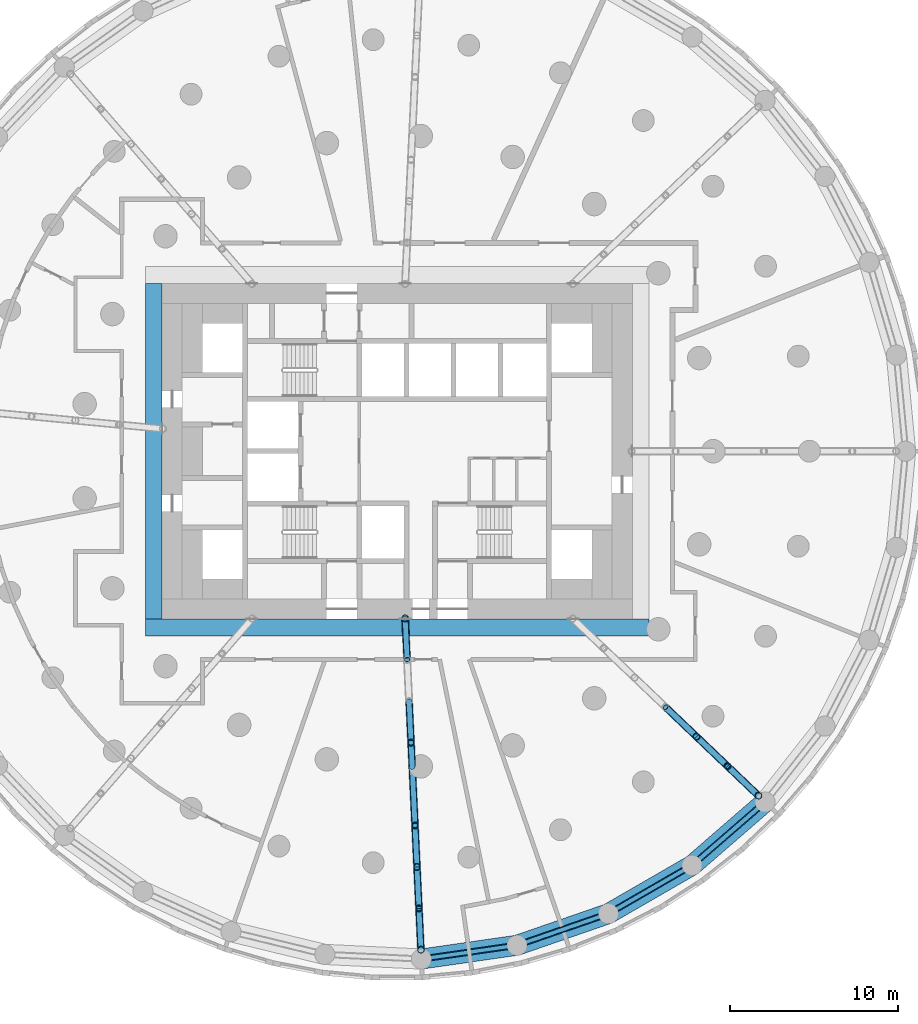
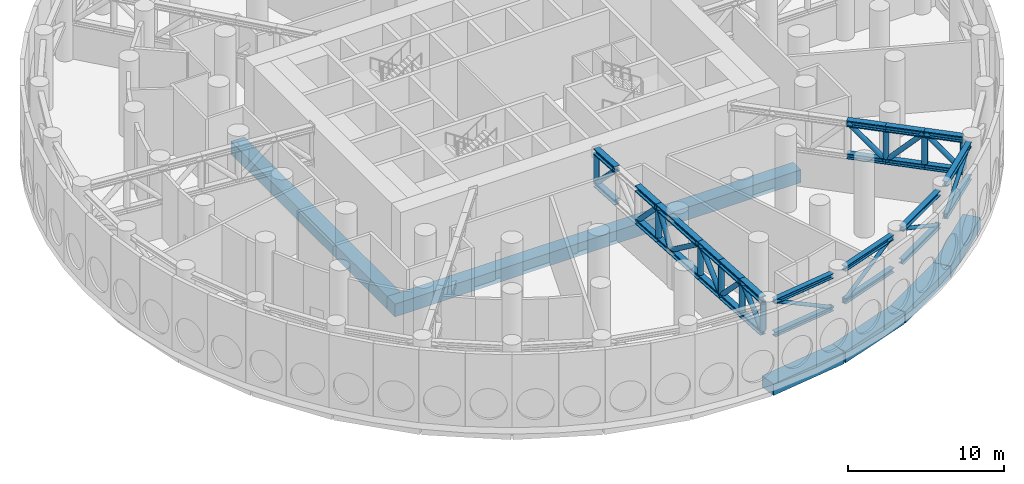
# One storey, part 3 of 17: 51 members, 6 beams.
"""IFC4 building model written with IfcOpenShell, lengths in metres."""

from ifc_helpers import new_model, si_unit, direction, frame, origin, origin_2d, place, context, subcontext, project, spatial, rectangle, hollow_circle, i_section, extrude, material, material_profile, profile_set, type_object, element, save


model = new_model("IFC4")

# Units and contexts
model_context = context("Model", 3, precision=1e-05, world=origin(), true_north=direction((0.0, 1.0)))
body_context = subcontext(model_context, "Body", "Model", "MODEL_VIEW")
ifc_project = project(units=[si_unit("LENGTHUNIT", "METRE"), si_unit("AREAUNIT", "SQUARE_METRE"), si_unit("VOLUMEUNIT", "CUBIC_METRE"), si_unit("PLANEANGLEUNIT", "RADIAN"), si_unit("MASSUNIT", "GRAM", prefix="KILO")], contexts=[model_context])

# Site, building, storey
site_placement = place(None, origin())
site = spatial("IfcSite", under=ifc_project, at=site_placement, CompositionType="ELEMENT")
building_placement = place(site_placement, origin())
building = spatial("IfcBuilding", under=site, at=building_placement, Name="Tracery Tower", CompositionType="ELEMENT")
storey_placement = place(building_placement, frame((0.0, 0.0, 120.0)))
storey = spatial("IfcBuildingStorey", under=building, at=storey_placement, Name="L30 Plant", CompositionType="ELEMENT", Elevation=120.0)

# Members
ifc_material_1 = material(Name="Steel S355", Category="steel")
ifc_material_profile_1 = material_profile(ifc_material_1, i_section(OverallWidth=0.37060546875, OverallDepth=0.362060546875, WebThickness=0.01220703125, FlangeThickness=0.020751953125, FilletRadius=0.01513671875, at=origin_2d()), Name="UKC 356x368x153")
ifc_profile_set_1 = profile_set([ifc_material_profile_1], Name="Steel S355")
member_type_1 = type_object("IfcMemberType", Name="Belt truss bottom chord UKC 356x368x153", PredefinedType="CHORD", material=ifc_profile_set_1)
for number, where, z_axis, x_axis, name in (
    (1, (1.935302734375, -30.169189453125, 2.9033203125), (0.989822810681, 0.142305317733, 0.0), (-0.142305317733, 0.989822810681, 0.0), "Belt truss bottom chord 26"),
    (2, (7.610107421875, -29.2578125, 2.9033203125), (0.944980580061, 0.327126433213, 0.0), (-0.327126433213, 0.944980580061, 0.0), "Belt truss bottom chord 27"),
    (3, (13.009521484375, -27.288818359375, 2.9033203125), (0.866010324758, 0.500026116731, 0.0), (-0.500026116731, 0.866010324758, 0.0), "Belt truss bottom chord 28"),
    (4, (17.93896484375, -24.33349609375, 2.9033203125), (0.755744978392, 0.65486603793, 0.0), (-0.65486603793, 0.755744978392, 0.0), "Belt truss bottom chord 29"),
):
    element("IfcMember", number, at=place(storey_placement, frame(where, z_axis=z_axis, x_axis=x_axis)), inside=storey, type_object=member_type_1, Name=name, PredefinedType="CHORD", context=body_context, shape_type="SweptSolid", body=[
        extrude(i_section(OverallWidth=0.37060546875, OverallDepth=0.362060546875, WebThickness=0.01220703125, FlangeThickness=0.020751953125, FilletRadius=0.01513671875, at=origin_2d()), origin(), (0.0, 0.0, 1.0), 4.755615234375),
    ])
ifc_material_2 = material(Name="Steel S355", Category="steel")
ifc_material_profile_2 = material_profile(ifc_material_2, hollow_circle(Radius=0.136474609375, WallThickness=0.012451171875, at=origin_2d()), Name="CHS 273x12.5")
ifc_profile_set_2 = profile_set([ifc_material_profile_2], Name="Steel S355")
member_type_2 = type_object("IfcMemberType", Name="Belt truss diagonal CHS 273x12.5", PredefinedType="BRACE", material=ifc_profile_set_2)
member_1_placement = place(storey_placement, frame((1.935302734375, -30.169189453125, 5.462646484375), z_axis=(0.871619132193, 0.125311354932, -0.473895719246), x_axis=(-0.142305317733, 0.989822810681, 0.0)))
element("IfcMember", 5, at=member_1_placement, inside=storey, type_object=member_type_2, Name="Belt truss diagonal 26", PredefinedType="BRACE", context=body_context, shape_type="SweptSolid", body=[
    extrude(hollow_circle(Radius=0.136474609375, WallThickness=0.012451171875, at=origin_2d()), origin(), (0.0, 0.0, 1.0), 5.400634765625),
])
member_2_placement = place(storey_placement, frame((7.610107421875, -29.2578125, 2.9033203125), z_axis=(0.832126767289, 0.28805952959, 0.473905845683), x_axis=(-0.327126433213, 0.944980580061, 0.0)))
element("IfcMember", 6, at=member_2_placement, inside=storey, type_object=member_type_2, Name="Belt truss diagonal 27", PredefinedType="BRACE", context=body_context, shape_type="SweptSolid", body=[
    extrude(hollow_circle(Radius=0.136474609375, WallThickness=0.012451171875, at=origin_2d()), origin(), (0.0, 0.0, 1.0), 5.400390625),
])
for number, where, z_axis, x_axis, name in (
    (7, (13.009521484375, -27.288818359375, 5.462646484375), (0.762589914734, 0.440312156589, -0.47390065067), (-0.500026116731, 0.866010324758, 0.0), "Belt truss diagonal 28"),
    (8, (17.93896484375, -24.33349609375, 2.9033203125), (0.66549118725, 0.576659573709, 0.47390422634), (-0.65486603793, 0.755744978392, 0.0), "Belt truss diagonal 29"),
):
    element("IfcMember", number, at=place(storey_placement, frame(where, z_axis=z_axis, x_axis=x_axis)), inside=storey, type_object=member_type_2, Name=name, PredefinedType="BRACE", context=body_context, shape_type="SweptSolid", body=[
        extrude(hollow_circle(Radius=0.136474609375, WallThickness=0.012451171875, at=origin_2d()), origin(), (0.0, 0.0, 1.0), 5.400634765625),
    ])
ifc_material_3 = material(Name="Steel S355", Category="steel")
ifc_material_profile_3 = material_profile(ifc_material_3, i_section(OverallWidth=0.374755859375, OverallDepth=0.37451171875, WebThickness=0.0166015625, FlangeThickness=0.027099609375, FilletRadius=0.01513671875, at=origin_2d()), Name="UKC 356x368x202")
ifc_profile_set_3 = profile_set([ifc_material_profile_3], Name="Steel S355")
member_type_3 = type_object("IfcMemberType", Name="Belt truss top chord UKC 356x368x202", PredefinedType="CHORD", material=ifc_profile_set_3)
for number, where, z_axis, x_axis, name in (
    (9, (1.935302734375, -30.169189453125, 5.462646484375), (0.989822810681, 0.142305317733, 0.0), (-0.142305317733, 0.989822810681, 0.0), "Belt truss top chord 26"),
    (10, (7.610107421875, -29.2578125, 5.462646484375), (0.944980580061, 0.327126433213, 0.0), (-0.327126433213, 0.944980580061, 0.0), "Belt truss top chord 27"),
    (11, (13.009521484375, -27.288818359375, 5.462646484375), (0.866010324758, 0.500026116731, 0.0), (-0.500026116731, 0.866010324758, 0.0), "Belt truss top chord 28"),
    (12, (17.93896484375, -24.33349609375, 5.462646484375), (0.755744978392, 0.65486603793, 0.0), (-0.65486603793, 0.755744978392, 0.0), "Belt truss top chord 29"),
):
    element("IfcMember", number, at=place(storey_placement, frame(where, z_axis=z_axis, x_axis=x_axis)), inside=storey, type_object=member_type_3, Name=name, PredefinedType="CHORD", context=body_context, shape_type="SweptSolid", body=[
        extrude(i_section(OverallWidth=0.374755859375, OverallDepth=0.37451171875, WebThickness=0.0166015625, FlangeThickness=0.027099609375, FilletRadius=0.01513671875, at=origin_2d()), origin(), (0.0, 0.0, 1.0), 4.755615234375),
    ])

# Beams
ifc_material_4 = material(Name="Concrete C60/75", Category="concrete")
ifc_material_profile_4 = material_profile(ifc_material_4, rectangle(XDim=1.0, YDim=1.0, at=origin_2d()), Name="RC 1000x1000")
ifc_profile_set_4 = profile_set([ifc_material_profile_4], Name="Concrete C60/75")
beam_type_1 = type_object("IfcBeamType", Name="Core slab edge beam 1000x1000", PredefinedType="BEAM", material=ifc_profile_set_4)
beam_1_placement = place(storey_placement, frame((-15.0, -10.5, -1.0), z_axis=(1.0, 0.0, 0.0), x_axis=(0.0, 1.0, 0.0)))
element("IfcBeam", 13, at=beam_1_placement, inside=storey, type_object=beam_type_1, Name="Core hole edge beam S at L30 Plant", PredefinedType="BEAM", context=body_context, shape_type="SweptSolid", body=[
    extrude(rectangle(XDim=1.0, YDim=1.0, at=origin_2d()), origin(), (0.0, 0.0, 1.0), 30.0),
])
beam_2_placement = place(storey_placement, frame((-14.5, -10.0, -1.0), z_axis=(0.0, 1.0, 0.0), x_axis=(-1.0, 0.0, 0.0)))
element("IfcBeam", 14, at=beam_2_placement, inside=storey, type_object=beam_type_1, Name="Core hole edge beam W at L30 Plant", PredefinedType="BEAM", context=body_context, shape_type="SweptSolid", body=[
    extrude(rectangle(XDim=1.0, YDim=1.0, at=origin_2d()), origin(), (0.0, 0.0, 1.0), 20.0),
])

# Members
ifc_material_5 = material(Name="Steel S355", Category="steel")
ifc_material_profile_5 = material_profile(ifc_material_5, i_section(OverallWidth=0.403076171875, OverallDepth=0.406494140625, WebThickness=0.026611328125, FlangeThickness=0.04296875, FilletRadius=0.01513671875, at=origin_2d()), Name="UKC 356x406x340")
ifc_profile_set_5 = profile_set([ifc_material_profile_5], Name="Steel S355")
member_type_4 = type_object("IfcMemberType", Name="Outrigger bottom chord UKC 356x406x340", PredefinedType="CHORD", material=ifc_profile_set_5)
for number, where, z_axis, x_axis, name in (
    (15, (0.47412109375, -9.9501953125, 2.9033203125), (0.047536976289, -0.998869478904, 0.0), (0.998869478904, 0.047536976289, 0.0), "Outrigger 7 bottom chord 1"),
    (16, (0.708984375, -14.88525390625, 2.9033203125), (0.047635581735, -0.998864781316, 0.0), (0.998864781316, 0.047635581735, 0.0), "Outrigger 7 bottom chord 3"),
):
    element("IfcMember", number, at=place(storey_placement, frame(where, z_axis=z_axis, x_axis=x_axis)), inside=storey, type_object=member_type_4, Name=name, PredefinedType="CHORD", context=body_context, shape_type="SweptSolid", body=[
        extrude(i_section(OverallWidth=0.403076171875, OverallDepth=0.406494140625, WebThickness=0.026611328125, FlangeThickness=0.04296875, FilletRadius=0.01513671875, at=origin_2d()), origin(), (0.0, 0.0, 1.0), 2.47021484375),
    ])
member_3_placement = place(storey_placement, frame((0.82666015625, -17.352783203125, 2.9033203125), z_axis=(0.047549070272, -0.998868903268, 0.0), x_axis=(0.998868903268, 0.047549070272, 0.0)))
element("IfcMember", 17, at=member_3_placement, inside=storey, type_object=member_type_4, Name="Outrigger 7 bottom chord 4", PredefinedType="CHORD", context=body_context, shape_type="SweptSolid", body=[
    extrude(i_section(OverallWidth=0.403076171875, OverallDepth=0.406494140625, WebThickness=0.026611328125, FlangeThickness=0.04296875, FilletRadius=0.01513671875, at=origin_2d()), origin(), (0.0, 0.0, 1.0), 1.44287109375),
])
member_4_placement = place(storey_placement, frame((0.895263671875, -18.7939453125, 2.9033203125), z_axis=(0.047598308599, -0.998866558164, 0.0), x_axis=(0.998866558164, 0.047598308599, 0.0)))
element("IfcMember", 18, at=member_4_placement, inside=storey, type_object=member_type_4, Name="Outrigger 7 bottom chord 5", PredefinedType="CHORD", context=body_context, shape_type="SweptSolid", body=[
    extrude(i_section(OverallWidth=0.403076171875, OverallDepth=0.406494140625, WebThickness=0.026611328125, FlangeThickness=0.04296875, FilletRadius=0.01513671875, at=origin_2d()), origin(), (0.0, 0.0, 1.0), 3.498046875),
])
member_5_placement = place(storey_placement, frame((1.061767578125, -22.2880859375, 2.9033203125), z_axis=(0.047536976289, -0.998869478904, 0.0), x_axis=(0.998869478904, 0.047536976289, 0.0)))
element("IfcMember", 19, at=member_5_placement, inside=storey, type_object=member_type_4, Name="Outrigger 7 bottom chord 6", PredefinedType="CHORD", context=body_context, shape_type="SweptSolid", body=[
    extrude(i_section(OverallWidth=0.403076171875, OverallDepth=0.406494140625, WebThickness=0.026611328125, FlangeThickness=0.04296875, FilletRadius=0.01513671875, at=origin_2d()), origin(), (0.0, 0.0, 1.0), 2.47021484375),
])
member_6_placement = place(storey_placement, frame((1.17919921875, -24.755615234375, 2.9033203125), z_axis=(0.047630879766, -0.99886500554, 0.0), x_axis=(0.99886500554, 0.047630879766, 0.0)))
element("IfcMember", 20, at=member_6_placement, inside=storey, type_object=member_type_4, Name="Outrigger 7 bottom chord 7", PredefinedType="CHORD", context=body_context, shape_type="SweptSolid", body=[
    extrude(i_section(OverallWidth=0.403076171875, OverallDepth=0.406494140625, WebThickness=0.026611328125, FlangeThickness=0.04296875, FilletRadius=0.01513671875, at=origin_2d()), origin(), (0.0, 0.0, 1.0), 2.470458984375),
])
member_7_placement = place(storey_placement, frame((1.296875, -27.223388671875, 2.9033203125), z_axis=(0.047536976289, -0.998869478904, 0.0), x_axis=(0.998869478904, 0.047536976289, 0.0)))
element("IfcMember", 21, at=member_7_placement, inside=storey, type_object=member_type_4, Name="Outrigger 7 bottom chord 8", PredefinedType="CHORD", context=body_context, shape_type="SweptSolid", body=[
    extrude(i_section(OverallWidth=0.403076171875, OverallDepth=0.406494140625, WebThickness=0.026611328125, FlangeThickness=0.04296875, FilletRadius=0.01513671875, at=origin_2d()), origin(), (0.0, 0.0, 1.0), 2.47021484375),
])
for number, where, z_axis, x_axis, name in (
    (22, (15.982177734375, -15.239013671875, 2.9033203125), (0.723775395754, -0.690035634225, 0.0), (0.690035634225, 0.723775395754, 0.0), "Outrigger 8 bottom chord 4"),
    (23, (17.82568359375, -16.99658203125, 2.9033203125), (0.723727525939, -0.690085841181, 0.0), (0.690085841181, 0.723727525939, 0.0), "Outrigger 8 bottom chord 5"),
):
    element("IfcMember", number, at=place(storey_placement, frame(where, z_axis=z_axis, x_axis=x_axis)), inside=storey, type_object=member_type_4, Name=name, PredefinedType="CHORD", context=body_context, shape_type="SweptSolid", body=[
        extrude(i_section(OverallWidth=0.403076171875, OverallDepth=0.406494140625, WebThickness=0.026611328125, FlangeThickness=0.04296875, FilletRadius=0.01513671875, at=origin_2d()), origin(), (0.0, 0.0, 1.0), 2.547119140625),
    ])
member_8_placement = place(storey_placement, frame((19.669189453125, -18.75439453125, 2.9033203125), z_axis=(0.723679658973, -0.690136038176, 0.0), x_axis=(0.690136038176, 0.723679658973, 0.0)))
element("IfcMember", 24, at=member_8_placement, inside=storey, type_object=member_type_4, Name="Outrigger 8 bottom chord 6", PredefinedType="CHORD", context=body_context, shape_type="SweptSolid", body=[
    extrude(i_section(OverallWidth=0.403076171875, OverallDepth=0.406494140625, WebThickness=0.026611328125, FlangeThickness=0.04296875, FilletRadius=0.01513671875, at=origin_2d()), origin(), (0.0, 0.0, 1.0), 2.54736328125),
])
ifc_material_6 = material(Name="Steel S355", Category="steel")
ifc_material_profile_6 = material_profile(ifc_material_6, hollow_circle(Radius=0.177734375, WallThickness=0.01611328125, at=origin_2d()), Name="CHS 355.6x16")
ifc_profile_set_6 = profile_set([ifc_material_profile_6], Name="Steel S355")
member_type_5 = type_object("IfcMemberType", Name="Outrigger diagonal CHS 355.6x16", PredefinedType="BRACE", material=ifc_profile_set_6)
for number, where, z_axis, x_axis, name in (
    (25, (0.47412109375, -9.9501953125, 2.9033203125), (0.03301372485, -0.693700035465, 0.719507022042), (0.998869478904, 0.047536976289, 0.0), "Outrigger 7 diagonal 1"),
    (26, (0.708984375, -14.88525390625, 2.9033203125), (0.033082285413, -0.69369846197, 0.71950539001), (0.998864781316, 0.047635581735, 0.0), "Outrigger 7 diagonal 3"),
):
    element("IfcMember", number, at=place(storey_placement, frame(where, z_axis=z_axis, x_axis=x_axis)), inside=storey, type_object=member_type_5, Name=name, PredefinedType="BRACE", context=body_context, shape_type="SweptSolid", body=[
        extrude(hollow_circle(Radius=0.177734375, WallThickness=0.01611328125, at=origin_2d()), origin(), (0.0, 0.0, 1.0), 3.55712890625),
    ])
member_9_placement = place(storey_placement, frame((0.82666015625, -17.352783203125, 5.462646484375), z_axis=(0.023350466345, -0.490525988736, -0.871113660837), x_axis=(0.998868903268, 0.047549070272, 0.0)))
element("IfcMember", 27, at=member_9_placement, inside=storey, type_object=member_type_5, Name="Outrigger 7 diagonal 4", PredefinedType="BRACE", context=body_context, shape_type="SweptSolid", body=[
    extrude(hollow_circle(Radius=0.177734375, WallThickness=0.01611328125, at=origin_2d()), origin(), (0.0, 0.0, 1.0), 2.93798828125),
])
member_10_placement = place(storey_placement, frame((0.895263671875, -18.7939453125, 2.9033203125), z_axis=(0.038414656054, -0.806144512381, 0.590470439022), x_axis=(0.998866558164, 0.047598308599, 0.0)))
element("IfcMember", 28, at=member_10_placement, inside=storey, type_object=member_type_5, Name="Outrigger 7 diagonal 5", PredefinedType="BRACE", context=body_context, shape_type="SweptSolid", body=[
    extrude(hollow_circle(Radius=0.177734375, WallThickness=0.01611328125, at=origin_2d()), origin(), (0.0, 0.0, 1.0), 4.33447265625),
])
for number, where, z_axis, x_axis, name in (
    (29, (1.061767578125, -22.2880859375, 5.462646484375), (0.03301372485, -0.693700035465, -0.719507022042), (0.998869478904, 0.047536976289, 0.0), "Outrigger 7 diagonal 6"),
    (30, (1.17919921875, -24.755615234375, 2.9033203125), (0.033080710324, -0.693734066292, 0.719471133452), (0.99886500554, 0.047630879766, 0.0), "Outrigger 7 diagonal 7"),
    (31, (1.296875, -27.223388671875, 5.462646484375), (0.03301372485, -0.693700035465, -0.719507022042), (0.998869478904, 0.047536976289, 0.0), "Outrigger 7 diagonal 8"),
):
    element("IfcMember", number, at=place(storey_placement, frame(where, z_axis=z_axis, x_axis=x_axis)), inside=storey, type_object=member_type_5, Name=name, PredefinedType="BRACE", context=body_context, shape_type="SweptSolid", body=[
        extrude(hollow_circle(Radius=0.177734375, WallThickness=0.01611328125, at=origin_2d()), origin(), (0.0, 0.0, 1.0), 3.55712890625),
    ])
for number, where, z_axis, x_axis, name in (
    (32, (15.982177734375, -15.239013671875, 5.462646484375), (0.510556547259, -0.486756268536, -0.708802050711), (0.690035634225, 0.723775395754, 0.0), "Outrigger 8 diagonal 4"),
    (33, (17.82568359375, -16.99658203125, 2.9033203125), (0.510539743614, -0.486807860418, 0.708778722329), (0.690085841181, 0.723727525939, 0.0), "Outrigger 8 diagonal 5"),
):
    element("IfcMember", number, at=place(storey_placement, frame(where, z_axis=z_axis, x_axis=x_axis)), inside=storey, type_object=member_type_5, Name=name, PredefinedType="BRACE", context=body_context, shape_type="SweptSolid", body=[
        extrude(hollow_circle(Radius=0.177734375, WallThickness=0.01611328125, at=origin_2d()), origin(), (0.0, 0.0, 1.0), 3.61083984375),
    ])
member_11_placement = place(storey_placement, frame((19.669189453125, -18.75439453125, 5.462646484375), z_axis=(0.510522939294, -0.486859447206, -0.70875539301), x_axis=(0.690136038176, 0.723679658973, 0.0)))
element("IfcMember", 34, at=member_11_placement, inside=storey, type_object=member_type_5, Name="Outrigger 8 diagonal 6", PredefinedType="BRACE", context=body_context, shape_type="SweptSolid", body=[
    extrude(hollow_circle(Radius=0.177734375, WallThickness=0.01611328125, at=origin_2d()), origin(), (0.0, 0.0, 1.0), 3.611083984375),
])
ifc_material_7 = material(Name="Steel S355", Category="steel")
ifc_material_profile_7 = material_profile(ifc_material_7, hollow_circle(Radius=0.203125, WallThickness=0.02001953125, at=origin_2d()), Name="CHS 406.4x20")
ifc_profile_set_7 = profile_set([ifc_material_profile_7], Name="Steel S355")
member_type_6 = type_object("IfcMemberType", Name="Outrigger post CHS 406.4x20", PredefinedType="POST", material=ifc_profile_set_7)
for number, where, z_axis, x_axis, name in (
    (35, (0.47412109375, -9.9501953125, 3.1064453125), (0.0, 0.0, 1.0), (1.0, 0.0, 0.0), "Outrigger 7 post 1"),
    (36, (0.82666015625, -17.352783203125, 3.1064453125), (0.0, 0.0, 1.0), (1.0, 0.0, 0.0), "Outrigger 7 post 4"),
    (37, (1.061767578125, -22.2880859375, 3.1064453125), (0.0, 0.0, 1.0), (1.0, 0.0, 0.0), "Outrigger 7 post 6"),
    (38, (1.17919921875, -24.755615234375, 3.1064453125), (0.0, 0.0, 1.0), (1.0, 0.0, 0.0), "Outrigger 7 post 7"),
    (39, (1.296875, -27.223388671875, 3.1064453125), (0.0, 0.0, 1.0), (1.0, 0.0, 0.0), "Outrigger 7 post 8"),
    (40, (1.414306640625, -29.69091796875, 3.1064453125), (0.0, 0.0, 1.0), (1.0, 0.0, 0.0), "Outrigger 7 post 9"),
    (41, (17.82568359375, -16.99658203125, 3.1064453125), (0.0, 0.0, 1.0), (1.0, 0.0, 0.0), "Outrigger 8 post 5"),
    (42, (19.669189453125, -18.75439453125, 3.1064453125), (0.0, 0.0, 1.0), (1.0, 0.0, 0.0), "Outrigger 8 post 6"),
    (43, (21.5126953125, -20.512451171875, 3.1064453125), (0.0, 0.0, 1.0), (1.0, 0.0, 0.0), "Outrigger 8 post 7"),
):
    element("IfcMember", number, at=place(storey_placement, frame(where, z_axis=z_axis, x_axis=x_axis)), inside=storey, type_object=member_type_6, Name=name, PredefinedType="POST", context=body_context, shape_type="SweptSolid", body=[
        extrude(hollow_circle(Radius=0.203125, WallThickness=0.02001953125, at=origin_2d()), origin(), (0.0, 0.0, 1.0), 2.118896484375),
    ])
ifc_material_8 = material(Name="Steel S355", Category="steel")
ifc_material_profile_8 = material_profile(ifc_material_8, i_section(OverallWidth=0.424072265625, OverallDepth=0.474609375, WebThickness=0.047607421875, FlangeThickness=0.076904296875, FilletRadius=0.01513671875, at=origin_2d()), Name="UKC 356x406x634")
ifc_profile_set_8 = profile_set([ifc_material_profile_8], Name="Steel S355")
member_type_7 = type_object("IfcMemberType", Name="Outrigger top chord UKC 356x406x634", PredefinedType="CHORD", material=ifc_profile_set_8)
for number, where, z_axis, x_axis, name in (
    (44, (0.47412109375, -9.9501953125, 5.462646484375), (0.047536976289, -0.998869478904, 0.0), (0.998869478904, 0.047536976289, 0.0), "Outrigger 7 top chord 1"),
    (45, (0.708984375, -14.88525390625, 5.462646484375), (0.047635581735, -0.998864781316, 0.0), (0.998864781316, 0.047635581735, 0.0), "Outrigger 7 top chord 3"),
):
    element("IfcMember", number, at=place(storey_placement, frame(where, z_axis=z_axis, x_axis=x_axis)), inside=storey, type_object=member_type_7, Name=name, PredefinedType="CHORD", context=body_context, shape_type="SweptSolid", body=[
        extrude(i_section(OverallWidth=0.424072265625, OverallDepth=0.474609375, WebThickness=0.047607421875, FlangeThickness=0.076904296875, FilletRadius=0.01513671875, at=origin_2d()), origin(), (0.0, 0.0, 1.0), 2.47021484375),
    ])
member_12_placement = place(storey_placement, frame((0.82666015625, -17.352783203125, 5.462646484375), z_axis=(0.047549070272, -0.998868903268, 0.0), x_axis=(0.998868903268, 0.047549070272, 0.0)))
element("IfcMember", 46, at=member_12_placement, inside=storey, type_object=member_type_7, Name="Outrigger 7 top chord 4", PredefinedType="CHORD", context=body_context, shape_type="SweptSolid", body=[
    extrude(i_section(OverallWidth=0.424072265625, OverallDepth=0.474609375, WebThickness=0.047607421875, FlangeThickness=0.076904296875, FilletRadius=0.01513671875, at=origin_2d()), origin(), (0.0, 0.0, 1.0), 1.44287109375),
])
member_13_placement = place(storey_placement, frame((0.895263671875, -18.7939453125, 5.462646484375), z_axis=(0.047598308599, -0.998866558164, 0.0), x_axis=(0.998866558164, 0.047598308599, 0.0)))
element("IfcMember", 47, at=member_13_placement, inside=storey, type_object=member_type_7, Name="Outrigger 7 top chord 5", PredefinedType="CHORD", context=body_context, shape_type="SweptSolid", body=[
    extrude(i_section(OverallWidth=0.424072265625, OverallDepth=0.474609375, WebThickness=0.047607421875, FlangeThickness=0.076904296875, FilletRadius=0.01513671875, at=origin_2d()), origin(), (0.0, 0.0, 1.0), 3.498046875),
])
member_14_placement = place(storey_placement, frame((1.061767578125, -22.2880859375, 5.462646484375), z_axis=(0.047536976289, -0.998869478904, 0.0), x_axis=(0.998869478904, 0.047536976289, 0.0)))
element("IfcMember", 48, at=member_14_placement, inside=storey, type_object=member_type_7, Name="Outrigger 7 top chord 6", PredefinedType="CHORD", context=body_context, shape_type="SweptSolid", body=[
    extrude(i_section(OverallWidth=0.424072265625, OverallDepth=0.474609375, WebThickness=0.047607421875, FlangeThickness=0.076904296875, FilletRadius=0.01513671875, at=origin_2d()), origin(), (0.0, 0.0, 1.0), 2.47021484375),
])
member_15_placement = place(storey_placement, frame((1.17919921875, -24.755615234375, 5.462646484375), z_axis=(0.047630879766, -0.99886500554, 0.0), x_axis=(0.99886500554, 0.047630879766, 0.0)))
element("IfcMember", 49, at=member_15_placement, inside=storey, type_object=member_type_7, Name="Outrigger 7 top chord 7", PredefinedType="CHORD", context=body_context, shape_type="SweptSolid", body=[
    extrude(i_section(OverallWidth=0.424072265625, OverallDepth=0.474609375, WebThickness=0.047607421875, FlangeThickness=0.076904296875, FilletRadius=0.01513671875, at=origin_2d()), origin(), (0.0, 0.0, 1.0), 2.470458984375),
])
member_16_placement = place(storey_placement, frame((1.296875, -27.223388671875, 5.462646484375), z_axis=(0.047536976289, -0.998869478904, 0.0), x_axis=(0.998869478904, 0.047536976289, 0.0)))
element("IfcMember", 50, at=member_16_placement, inside=storey, type_object=member_type_7, Name="Outrigger 7 top chord 8", PredefinedType="CHORD", context=body_context, shape_type="SweptSolid", body=[
    extrude(i_section(OverallWidth=0.424072265625, OverallDepth=0.474609375, WebThickness=0.047607421875, FlangeThickness=0.076904296875, FilletRadius=0.01513671875, at=origin_2d()), origin(), (0.0, 0.0, 1.0), 2.47021484375),
])
for number, where, z_axis, x_axis, name in (
    (51, (15.982177734375, -15.239013671875, 5.462646484375), (0.723775395754, -0.690035634225, 0.0), (0.690035634225, 0.723775395754, 0.0), "Outrigger 8 top chord 4"),
    (52, (17.82568359375, -16.99658203125, 5.462646484375), (0.723727525939, -0.690085841181, 0.0), (0.690085841181, 0.723727525939, 0.0), "Outrigger 8 top chord 5"),
):
    element("IfcMember", number, at=place(storey_placement, frame(where, z_axis=z_axis, x_axis=x_axis)), inside=storey, type_object=member_type_7, Name=name, PredefinedType="CHORD", context=body_context, shape_type="SweptSolid", body=[
        extrude(i_section(OverallWidth=0.424072265625, OverallDepth=0.474609375, WebThickness=0.047607421875, FlangeThickness=0.076904296875, FilletRadius=0.01513671875, at=origin_2d()), origin(), (0.0, 0.0, 1.0), 2.547119140625),
    ])
member_17_placement = place(storey_placement, frame((19.669189453125, -18.75439453125, 5.462646484375), z_axis=(0.723679658973, -0.690136038176, 0.0), x_axis=(0.690136038176, 0.723679658973, 0.0)))
element("IfcMember", 53, at=member_17_placement, inside=storey, type_object=member_type_7, Name="Outrigger 8 top chord 6", PredefinedType="CHORD", context=body_context, shape_type="SweptSolid", body=[
    extrude(i_section(OverallWidth=0.424072265625, OverallDepth=0.474609375, WebThickness=0.047607421875, FlangeThickness=0.076904296875, FilletRadius=0.01513671875, at=origin_2d()), origin(), (0.0, 0.0, 1.0), 2.54736328125),
])

# Beams
ifc_material_9 = material(Name="Concrete C60/75", Category="concrete")
ifc_material_profile_9 = material_profile(ifc_material_9, rectangle(XDim=1.199951171875, YDim=0.89990234375, at=origin_2d()), Name="RC 1200x900")
ifc_profile_set_9 = profile_set([ifc_material_profile_9], Name="Concrete C60/75")
beam_type_2 = type_object("IfcBeamType", Name="Plant level band beam 1200x900", PredefinedType="BEAM", material=ifc_profile_set_9)
beam_3_placement = place(storey_placement, frame((1.4404296875, -30.240234375, -0.949951171875), z_axis=(0.989821839174, 0.142312075013, 0.0), x_axis=(-0.142312075013, 0.989821839174, 0.0)))
element("IfcBeam", 54, at=beam_3_placement, inside=storey, type_object=beam_type_2, Name="Perimeter beam 0.25 under L30 Plant", PredefinedType="BEAM", context=body_context, shape_type="SweptSolid", body=[
    extrude(rectangle(XDim=1.199951171875, YDim=0.89990234375, at=origin_2d()), origin(), (0.0, 0.0, 1.0), 5.755615234375),
])
beam_4_placement = place(storey_placement, frame((7.137451171875, -29.421142578125, -0.949951171875), z_axis=(0.945007252869, 0.327049372458, 0.0), x_axis=(-0.327049372458, 0.945007252869, 0.0)))
element("IfcBeam", 55, at=beam_4_placement, inside=storey, type_object=beam_type_2, Name="Perimeter beam 0.26 under L30 Plant", PredefinedType="BEAM", context=body_context, shape_type="SweptSolid", body=[
    extrude(rectangle(XDim=1.199951171875, YDim=0.89990234375, at=origin_2d()), origin(), (0.0, 0.0, 1.0), 5.75537109375),
])
beam_5_placement = place(storey_placement, frame((12.576416015625, -27.538818359375, -0.949951171875), z_axis=(0.866021003874, 0.50000762079, 0.0), x_axis=(-0.50000762079, 0.866021003874, 0.0)))
element("IfcBeam", 56, at=beam_5_placement, inside=storey, type_object=beam_type_2, Name="Perimeter beam 0.27 under L30 Plant", PredefinedType="BEAM", context=body_context, shape_type="SweptSolid", body=[
    extrude(rectangle(XDim=1.199951171875, YDim=0.89990234375, at=origin_2d()), origin(), (0.0, 0.0, 1.0), 5.755859375),
])
beam_6_placement = place(storey_placement, frame((17.56103515625, -24.660888671875, -0.949951171875), z_axis=(0.755760456715, 0.65484817482, 0.0), x_axis=(-0.65484817482, 0.755760456715, 0.0)))
element("IfcBeam", 57, at=beam_6_placement, inside=storey, type_object=beam_type_2, Name="Perimeter beam 0.28 under L30 Plant", PredefinedType="BEAM", context=body_context, shape_type="SweptSolid", body=[
    extrude(rectangle(XDim=1.199951171875, YDim=0.89990234375, at=origin_2d()), origin(), (0.0, 0.0, 1.0), 5.755615234375),
])

save(model, "model.ifc")
